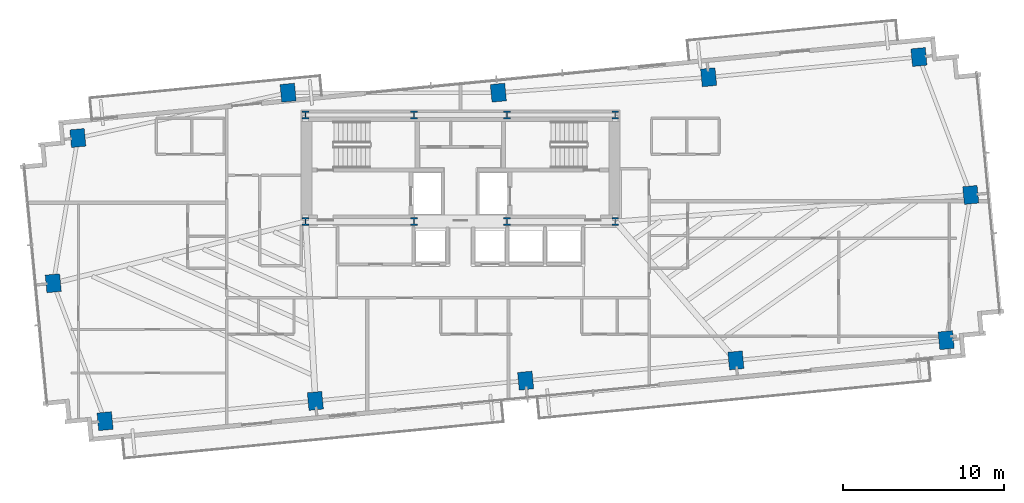
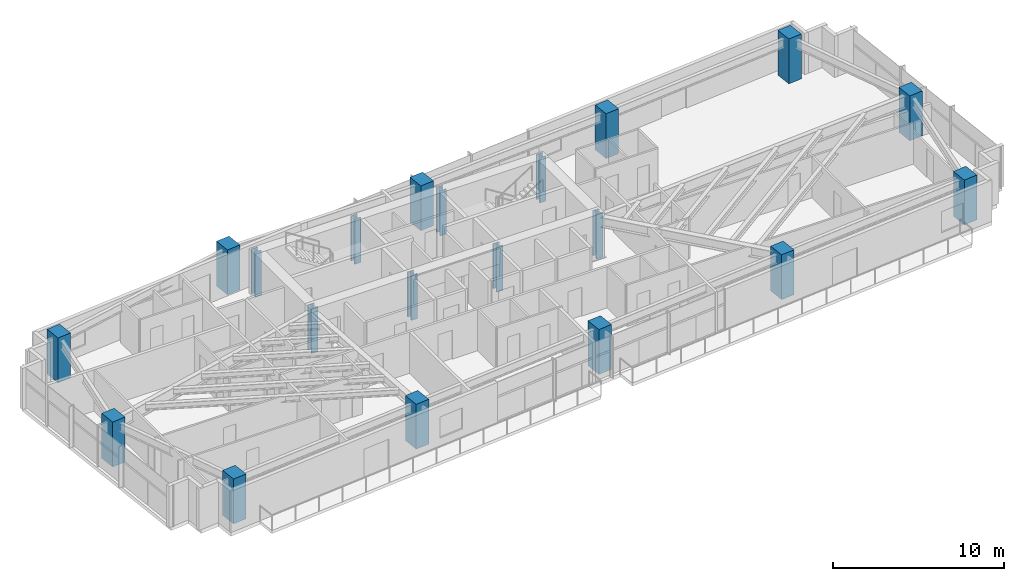
# One storey, part 1 of 27: 20 columns.
"""IFC4 building model written with IfcOpenShell, lengths in metres."""

from ifc_helpers import new_model, si_unit, direction, frame, origin, origin_2d, place, context, subcontext, project, spatial, rectangle, i_section, extrude, source, transform, mapped, material, material_profile, profile_set, type_object, type_shapes, element, save


model = new_model("IFC4")

# Units and contexts
model_context = context("Model", 3, precision=1e-05, world=origin(), true_north=direction((0.0, 1.0)))
body_context = subcontext(model_context, "Body", "Model", "MODEL_VIEW")
ifc_project = project(units=[si_unit("LENGTHUNIT", "METRE"), si_unit("AREAUNIT", "SQUARE_METRE"), si_unit("VOLUMEUNIT", "CUBIC_METRE"), si_unit("PLANEANGLEUNIT", "RADIAN"), si_unit("MASSUNIT", "GRAM", prefix="KILO")], contexts=[model_context])

# Site, building, storey
site_placement = place(None, origin())
site = spatial("IfcSite", under=ifc_project, at=site_placement, CompositionType="ELEMENT")
building_placement = place(site_placement, origin())
building = spatial("IfcBuilding", under=site, at=building_placement, Name="Astriad Promenade Condominiums", CompositionType="ELEMENT")
storey_placement = place(building_placement, frame((0.0, 0.0, 113.0)))
storey = spatial("IfcBuildingStorey", under=building, at=storey_placement, Name="L32", CompositionType="ELEMENT", Elevation=113.0)

# Columns
ifc_material_1 = material(Name="Steel ASTM A992 Grade 50", Category="steel")
ifc_material_profile_1 = material_profile(ifc_material_1, i_section(OverallWidth=0.427490234375, OverallDepth=0.483154296875, WebThickness=0.05126953125, FlangeThickness=0.08154296875, FilletRadius=0.017822265625, at=origin_2d()), Name="W14X455")
ifc_profile_set_1 = profile_set([ifc_material_profile_1], Name="Steel ASTM A992 Grade 50")
column_type_1 = type_object("IfcColumnType", Name="STEEL CORE PILASTER W14X455", PredefinedType="PILASTER", material=ifc_profile_set_1)
shared_shape_1 = source(origin(), body_context, "Body", "SweptSolid", [
    extrude(i_section(OverallWidth=0.427490234375, OverallDepth=0.483154296875, WebThickness=0.05126953125, FlangeThickness=0.08154296875, FilletRadius=0.017822265625, at=origin_2d()), origin(), (0.0, 0.0, 1.0), 3.196044921875),
])
type_shapes(column_type_1, [shared_shape_1])
for number, where, z_axis, x_axis, name in (
    (1, (26.39990234375, 17.39990234375, 0.001953125), (0.0, 0.0, 1.0), (1.0, 0.0, 0.0), "Core Pilaster Column CP1 (L32)"),
    (2, (33.1201171875, 17.39990234375, 0.001953125), (0.0, 0.0, 1.0), (1.0, 0.0, 0.0), "Core Pilaster Column CP2 (L32)"),
    (3, (38.8798828125, 17.39990234375, 0.001953125), (0.0, 0.0, 1.0), (1.0, 0.0, 0.0), "Core Pilaster Column CP3 (L32)"),
    (4, (45.60009765625, 17.39990234375, 0.001953125), (0.0, 0.0, 1.0), (1.0, 0.0, 0.0), "Core Pilaster Column CP4 (L32)"),
    (5, (26.39990234375, 24.0, 0.001953125), (0.0, 0.0, 1.0), (1.0, 0.0, 0.0), "Core Pilaster Column CP5 (L32)"),
    (6, (33.1201171875, 24.0, 0.001953125), (0.0, 0.0, 1.0), (1.0, 0.0, 0.0), "Core Pilaster Column CP6 (L32)"),
    (7, (38.8798828125, 24.0, 0.001953125), (0.0, 0.0, 1.0), (1.0, 0.0, 0.0), "Core Pilaster Column CP7 (L32)"),
    (8, (45.60009765625, 24.0, 0.001953125), (0.0, 0.0, 1.0), (1.0, 0.0, 0.0), "Core Pilaster Column CP8 (L32)"),
):
    element("IfcColumn", number, at=place(storey_placement, frame(where, z_axis=z_axis, x_axis=x_axis)), inside=storey, type_object=column_type_1, Name=name, PredefinedType="PILASTER", context=body_context, shape_type="MappedRepresentation", body=[
        mapped(shared_shape_1, transform((0.0, 0.0, 0.0), scale=1.0)),
    ])
ifc_material_2 = material(Name="Concrete C60/75", Category="concrete")
ifc_material_profile_2 = material_profile(ifc_material_2, rectangle(XDim=0.89990234375, YDim=1.10009765625, at=origin_2d()), Name="RC-COL-1100X900")
ifc_profile_set_2 = profile_set([ifc_material_profile_2], Name="Concrete C60/75")
column_type_2 = type_object("IfcColumnType", Name="CONCRETE TOWER COLUMN 1100X900", PredefinedType="COLUMN", material=ifc_profile_set_2)
shared_shape_2 = source(origin(), body_context, "Body", "SweptSolid", [
    extrude(rectangle(XDim=0.89990234375, YDim=1.10009765625, at=origin_2d()), origin(), (0.0, 0.0, 1.0), 3.196044921875),
])
type_shapes(column_type_2, [shared_shape_2])
for number, where, z_axis, x_axis, name in (
    (9, (13.966064453125, 5.009521484375, 0.001953125), (0.0, 0.0, 1.0), (0.995396198367, 0.09584575252, 0.0), "Perimeter Column PC01 (L32)"),
    (10, (27.005615234375, 6.264892578125, 0.001953125), (0.0, 0.0, 1.0), (0.995396198367, 0.09584575252, 0.0), "Perimeter Column PC02 (L32)"),
    (11, (40.04541015625, 7.5205078125, 0.001953125), (0.0, 0.0, 1.0), (0.995396198367, 0.09584575252, 0.0), "Perimeter Column PC03 (L32)"),
    (12, (53.0849609375, 8.776123046875, 0.001953125), (0.0, 0.0, 1.0), (0.995396198367, 0.09584575252, 0.0), "Perimeter Column PC04 (L32)"),
    (13, (66.124755859375, 10.03173828125, 0.001953125), (0.0, 0.0, 1.0), (0.995396198367, 0.09584575252, 0.0), "Perimeter Column PC05 (L32)"),
    (14, (12.275390625, 22.568115234375, 0.001953125), (0.0, 0.0, 1.0), (0.995396198367, 0.09584575252, 0.0), "Perimeter Column PC06 (L32)"),
    (15, (25.31494140625, 25.3798828125, 0.001953125), (0.0, 0.0, 1.0), (0.995396198367, 0.09584575252, 0.0), "Perimeter Column PC07 (L32)"),
    (16, (38.3544921875, 25.3798828125, 0.001953125), (0.0, 0.0, 1.0), (0.995396198367, 0.09584575252, 0.0), "Perimeter Column PC08 (L32)"),
    (17, (51.394287109375, 26.3349609375, 0.001953125), (0.0, 0.0, 1.0), (0.995396198367, 0.09584575252, 0.0), "Perimeter Column PC09 (L32)"),
    (18, (64.43408203125, 27.590576171875, 0.001953125), (0.0, 0.0, 1.0), (0.995396198367, 0.09584575252, 0.0), "Perimeter Column PC10 (L32)"),
    (19, (10.751708984375, 13.560791015625, 0.001953125), (0.0, 0.0, 1.0), (0.995396198367, 0.09584575252, 0.0), "Perimeter Column PC11 (L32)"),
    (20, (67.6484375, 19.039306640625, 0.001953125), (0.0, 0.0, 1.0), (0.995396198367, 0.09584575252, 0.0), "Perimeter Column PC12 (L32)"),
):
    element("IfcColumn", number, at=place(storey_placement, frame(where, z_axis=z_axis, x_axis=x_axis)), inside=storey, type_object=column_type_2, Name=name, PredefinedType="COLUMN", context=body_context, shape_type="MappedRepresentation", body=[
        mapped(shared_shape_2, transform((0.0, 0.0, 0.0), scale=1.0)),
    ])

save(model, "model.ifc")
